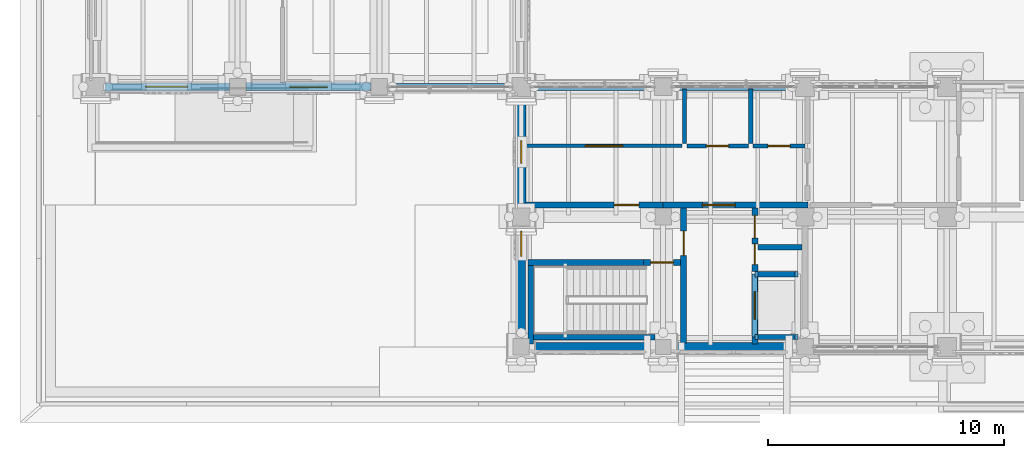
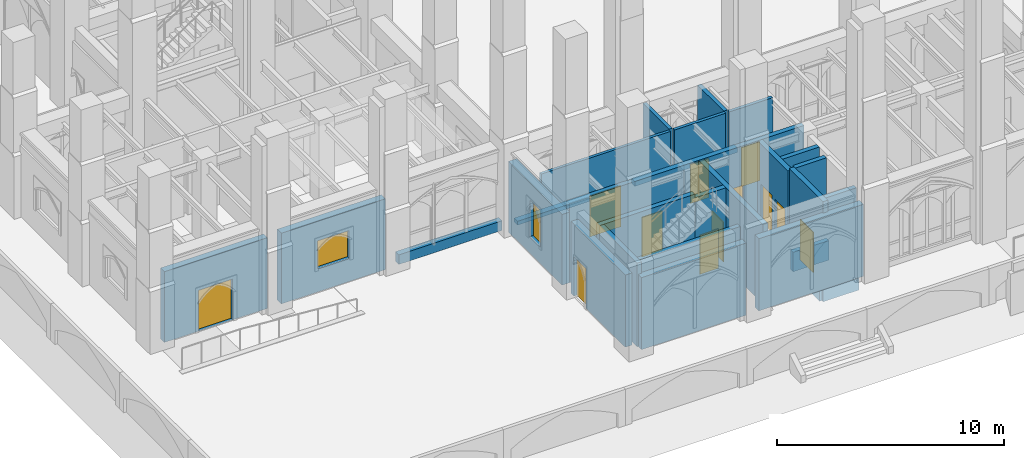
# One storey, part 58 of 135: 29 walls, 12 doors, 2 windows, 14 openings.
"""IFC4 building model written with IfcOpenShell, lengths in metres."""

from ifc_helpers import new_model, si_unit, direction, frame, frame_2d, origin, place, context, subcontext, project, spatial, rectangle, extrude, material, layer, layer_set, type_object, element, fill, save


model = new_model("IFC4")

# Units and contexts
model_context = context("Model", 3, precision=1e-05, world=origin(), true_north=direction((0.0, 1.0)))
body_context = subcontext(model_context, "Body", "Model", "MODEL_VIEW")
ifc_project = project(units=[si_unit("LENGTHUNIT", "METRE"), si_unit("AREAUNIT", "SQUARE_METRE"), si_unit("VOLUMEUNIT", "CUBIC_METRE"), si_unit("PLANEANGLEUNIT", "RADIAN"), si_unit("MASSUNIT", "GRAM", prefix="KILO")], contexts=[model_context])

# Site, building, storey
site_placement = place(None, origin())
site = spatial("IfcSite", under=ifc_project, at=site_placement, CompositionType="ELEMENT")
building_placement = place(site_placement, origin())
building = spatial("IfcBuilding", under=site, at=building_placement, Name="Cumevento Cable Car Station", CompositionType="ELEMENT")
storey_placement = place(building_placement, origin())
storey = spatial("IfcBuildingStorey", under=building, at=storey_placement, Name="L01", CompositionType="ELEMENT", Elevation=0.0)

# Walls
ifc_material_1 = material(Name="Gnaisse Facoidal Stone Ashlar 85 MPa", Category="masonry")
ifc_layer_1 = layer(ifc_material_1, 0.294921875)
ifc_layer_set_1 = layer_set([ifc_layer_1], Name="Gnaisse Facoidal Stone Ashlar 85 MPa")
wall_type_1 = type_object("IfcWallType", Name="Exterior Envelope Wall EW-295 295", PredefinedType="SOLIDWALL", material=ifc_layer_set_1)
wall_1_placement = place(storey_placement, frame((22.39990234375, 15.0, 0.0), z_axis=(0.0, 0.0, 1.0), x_axis=(1.0, 0.0, 0.0)))
element("IfcWall", 1, at=wall_1_placement, inside=storey, type_object=wall_type_1, Name="Exterior Sill Curb Wall EW-295 L01 #2", PredefinedType="SOLIDWALL", context=body_context, shape_type="SweptSolid", body=[
    extrude(rectangle(XDim=5.22509765625, YDim=0.294921875, at=frame_2d((2.612548828125, 0.0))), origin(), (0.0, 0.0, 1.0), 0.2099609375),
])
wall_2_placement = place(storey_placement, frame((28.375, 15.0, 0.0), z_axis=(0.0, 0.0, 1.0), x_axis=(1.0, 0.0, 0.0)))
element("IfcWall", 2, at=wall_2_placement, inside=storey, type_object=wall_type_1, Name="Exterior Sill Curb Wall EW-295 L01 #4", PredefinedType="SOLIDWALL", context=body_context, shape_type="SweptSolid", body=[
    extrude(rectangle(XDim=5.22509765625, YDim=0.294921875, at=frame_2d((2.612548828125, 0.0))), origin(), (0.0, 0.0, 1.0), 0.260009765625),
])
wall_3_placement = place(storey_placement, frame((21.60009765625, 15.0, 0.0), z_axis=(0.0, 0.0, 1.0), x_axis=(-1.0, 0.0, 0.0)))
element("IfcWall", 3, at=wall_3_placement, inside=storey, type_object=wall_type_1, Name="Exterior Sill Curb Wall EW-295 L01 #47", PredefinedType="SOLIDWALL", context=body_context, shape_type="SweptSolid", body=[
    extrude(rectangle(XDim=5.25, YDim=0.294921875, at=frame_2d((2.625, 0.0))), origin(), (0.0, 0.0, 1.0), 0.52001953125),
])

# Wall, opening, door
ifc_material_2 = material(Name="Concrete C40/50", Category="concrete")
ifc_layer_2 = layer(ifc_material_2, 0.340087890625)
ifc_layer_set_2 = layer_set([ifc_layer_2], Name="Concrete C40/50")
wall_type_2 = type_object("IfcWallType", Name="Exterior Envelope Wall EW-340 340", PredefinedType="SOLIDWALL", material=ifc_layer_set_2)
wall_4_placement = place(storey_placement, frame((9.64990234375, 15.0, 0.0), z_axis=(0.0, 0.0, 1.0), x_axis=(-1.0, 0.0, 0.0)))
wall_4 = element("IfcWall", 4, at=wall_4_placement, inside=storey, type_object=wall_type_2, Name="Exterior Wall EW-340 L01 #44", PredefinedType="SOLIDWALL", context=body_context, shape_type="SweptSolid", body=[
    extrude(rectangle(XDim=5.25, YDim=0.340087890625, at=frame_2d((2.625, 0.0))), origin(), (0.0, 0.0, 1.0), 3.80908203125),
])
opening_1_placement = place(wall_4_placement, frame((1.77490234375, 0.0, 0.0)))
opening_1 = element("IfcOpeningElement", 5, at=opening_1_placement, cuts=wall_4, Name="Opening DR-L01-M04", PredefinedType="OPENING", context=body_context, shape_type="SweptSolid", body=[
    extrude(rectangle(XDim=1.75, YDim=2.199951171875, at=frame_2d((0.875, 1.10009765625))), frame((0.0, 0.179931640625, 0.0), z_axis=(0.0, -1.0, 0.0), x_axis=(1.0, 0.0, 0.0)), (0.0, 0.0, 1.0), 0.360107421875),
])
ifc_material_3 = material(Name="Anodised Bronze Aluminium & Laminated Glass", Category="aluminium")
door_type_1 = type_object("IfcDoorType", Name="Exterior Door ED-01 1750x2200", OperationType="NOTDEFINED", PredefinedType="DOOR", material=ifc_material_3)
door_1_placement = place(opening_1_placement, origin())
door_1 = element("IfcDoor", 6, at=door_1_placement, inside=storey, type_object=door_type_1, Name="Main Entrance M4 (Rescue & Sports)", OperationType="DOUBLE_DOOR_SINGLE_SWING", OverallHeight=2.199951171875, OverallWidth=1.75, PredefinedType="DOOR", context=body_context, shape_type="SweptSolid", body=[
    extrude(rectangle(XDim=1.75, YDim=2.199951171875, at=frame_2d((0.875, 1.10009765625))), frame((0.0, 0.02490234375, 0.0), z_axis=(0.0, -1.0, 0.0), x_axis=(1.0, 0.0, 0.0)), (0.0, 0.0, 1.0), 0.050048828125),
])
fill(opening_1, door_1)

# Walls
ifc_material_4 = material(Name="Concrete C40/50", Category="concrete")
ifc_layer_3 = layer(ifc_material_4, 0.35498046875)
ifc_layer_set_3 = layer_set([ifc_layer_3], Name="Concrete C40/50")
wall_type_3 = type_object("IfcWallType", Name="Exterior Envelope Wall EW-355 355", PredefinedType="SOLIDWALL", material=ifc_layer_set_3)
for number, where, z_axis, x_axis, name in (
    (7, (27.675048828125, 4.0, 0.0), (0.0, 0.0, 1.0), (-1.0, 0.0, 0.0), "Exterior Wall EW-355 L01 #1"),
    (8, (33.64990234375, 4.0, 0.0), (0.0, 0.0, 1.0), (-1.0, 0.0, 0.0), "Exterior Wall EW-355 L01 #3"),
):
    element("IfcWall", number, at=place(storey_placement, frame(where, z_axis=z_axis, x_axis=x_axis)), inside=storey, type_object=wall_type_3, Name=name, PredefinedType="SOLIDWALL", context=body_context, shape_type="SweptSolid", body=[
        extrude(rectangle(XDim=5.324951171875, YDim=0.35498046875, at=frame_2d((2.66259765625, 0.0))), origin(), (0.0, 0.0, 1.0), 3.881103515625),
    ])

# Wall, opening, door
wall_5_placement = place(storey_placement, frame((22.0, 4.35009765625, 0.0), z_axis=(0.0, 0.0, 1.0), x_axis=(0.0, 1.0, 0.0)))
wall_5 = element("IfcWall", 9, at=wall_5_placement, inside=storey, type_object=wall_type_3, Name="Exterior Wall EW-355 L01 #9", PredefinedType="SOLIDWALL", context=body_context, shape_type="SweptSolid", body=[
    extrude(rectangle(XDim=4.77490234375, YDim=0.35498046875, at=frame_2d((2.387451171875, 0.0))), origin(), (0.0, 0.0, 1.0), 3.881103515625),
])
opening_2_placement = place(wall_5_placement, frame((3.485107421875, 0.0, 0.0)))
opening_2 = element("IfcOpeningElement", 10, at=opening_2_placement, cuts=wall_5, Name="Opening DR-L01-EX2", PredefinedType="OPENING", context=body_context, shape_type="SweptSolid", body=[
    extrude(rectangle(XDim=1.050048828125, YDim=2.139892578125, at=frame_2d((0.52490234375, 1.06982421875))), frame((0.0, 0.1875, 0.0), z_axis=(0.0, -1.0, 0.0), x_axis=(1.0, 0.0, 0.0)), (0.0, 0.0, 1.0), 0.375),
])
ifc_material_5 = material(Name="Galvanised Painted Steel Door Assembly", Category="steel")
door_type_2 = type_object("IfcDoorType", Name="Exterior Door ED-11 1050x2140", OperationType="NOTDEFINED", PredefinedType="DOOR", material=ifc_material_5)
door_2_placement = place(opening_2_placement, origin())
door_2 = element("IfcDoor", 11, at=door_2_placement, inside=storey, type_object=door_type_2, Name="Final Pedestrian Exit E2 (Core C2)", OperationType="SINGLE_SWING_RIGHT", OverallHeight=2.139892578125, OverallWidth=1.050048828125, PredefinedType="DOOR", context=body_context, shape_type="SweptSolid", body=[
    extrude(rectangle(XDim=1.050048828125, YDim=2.139892578125, at=frame_2d((0.52490234375, 1.06982421875))), frame((0.0, 0.02490234375, 0.0), z_axis=(0.0, -1.0, 0.0), x_axis=(1.0, 0.0, 0.0)), (0.0, 0.0, 1.0), 0.050048828125),
])
fill(opening_2, door_2)

# Wall, opening, window
ifc_material_6 = material(Name="Concrete C40/50", Category="concrete")
ifc_layer_4 = layer(ifc_material_6, 0.3701171875)
ifc_layer_set_4 = layer_set([ifc_layer_4], Name="Concrete C40/50")
wall_type_4 = type_object("IfcWallType", Name="Exterior Envelope Wall EW-370 370", PredefinedType="SOLIDWALL", material=ifc_layer_set_4)
wall_6_placement = place(storey_placement, frame((15.64990234375, 15.0, 0.0), z_axis=(0.0, 0.0, 1.0), x_axis=(-1.0, 0.0, 0.0)))
wall_6 = element("IfcWall", 12, at=wall_6_placement, inside=storey, type_object=wall_type_4, Name="Exterior Wall EW-370 L01 #46", PredefinedType="SOLIDWALL", context=body_context, shape_type="SweptSolid", body=[
    extrude(rectangle(XDim=5.2998046875, YDim=0.3701171875, at=frame_2d((2.64990234375, 0.0))), origin(), (0.0, 0.0, 1.0), 3.80908203125),
])
opening_3_placement = place(wall_6_placement, frame((1.85009765625, 0.0, 1.25)))
opening_3 = element("IfcOpeningElement", 13, at=opening_3_placement, cuts=wall_6, Name="Opening WN-L01-021", PredefinedType="OPENING", context=body_context, shape_type="SweptSolid", body=[
    extrude(rectangle(XDim=1.60009765625, YDim=1.5, at=frame_2d((0.800048828125, 0.75))), frame((0.0, 0.195068359375, 0.0), z_axis=(0.0, -1.0, 0.0), x_axis=(1.0, 0.0, 0.0)), (0.0, 0.0, 1.0), 0.39013671875),
])
ifc_material_7 = material(Name="Anodised Bronze Aluminium & Laminated Solar Glass", Category="aluminium")
window_type_1 = type_object("IfcWindowType", Name="Lancet Window WN-21 1600x1500", PartitioningType="DOUBLE_PANEL_VERTICAL", PredefinedType="WINDOW", material=ifc_material_7)
window_1_placement = place(opening_3_placement, origin())
window_1 = element("IfcWindow", 14, at=window_1_placement, inside=storey, type_object=window_type_1, Name="Lancet Window WN-L01-021 (WN-21)", OverallHeight=1.5, OverallWidth=1.60009765625, PartitioningType="SINGLE_PANEL", PredefinedType="WINDOW", context=body_context, shape_type="SweptSolid", body=[
    extrude(rectangle(XDim=1.60009765625, YDim=1.5, at=frame_2d((0.800048828125, 0.75))), frame((0.0, 0.030029296875, 0.0), z_axis=(0.0, -1.0, 0.0), x_axis=(1.0, 0.0, 0.0)), (0.0, 0.0, 1.0), 0.06005859375),
])
fill(opening_3, window_1)

ifc_material_8 = material(Name="Gnaisse Facoidal Stone Ashlar 85 MPa", Category="masonry")
ifc_layer_5 = layer(ifc_material_8, 0.4150390625)
ifc_layer_set_5 = layer_set([ifc_layer_5], Name="Gnaisse Facoidal Stone Ashlar 85 MPa")
wall_type_5 = type_object("IfcWallType", Name="Exterior Envelope Wall EW-415 415", PredefinedType="SOLIDWALL", material=ifc_layer_set_5)
wall_7_placement = place(storey_placement, frame((22.0, 9.875, 0.0), z_axis=(0.0, 0.0, 1.0), x_axis=(0.0, 1.0, 0.0)))
wall_7 = element("IfcWall", 15, at=wall_7_placement, inside=storey, type_object=wall_type_5, Name="Exterior Wall EW-415 L01 #10", PredefinedType="SOLIDWALL", context=body_context, shape_type="SweptSolid", body=[
    extrude(rectangle(XDim=4.72509765625, YDim=0.4150390625, at=frame_2d((2.362548828125, 0.0))), origin(), (0.0, 0.0, 1.0), 3.80908203125),
])
opening_4_placement = place(wall_7_placement, frame((1.887451171875, 0.0, 0.89990234375)))
opening_4 = element("IfcOpeningElement", 16, at=opening_4_placement, cuts=wall_7, Name="Opening WN-L01-002", PredefinedType="OPENING", context=body_context, shape_type="SweptSolid", body=[
    extrude(rectangle(XDim=0.949951171875, YDim=1.949951171875, at=frame_2d((0.47509765625, 0.97509765625))), frame((0.0, 0.217529296875, 0.0), z_axis=(0.0, -1.0, 0.0), x_axis=(1.0, 0.0, 0.0)), (0.0, 0.0, 1.0), 0.43505859375),
])
ifc_material_9 = material(Name="Anodised Bronze Aluminium & Laminated Solar Glass", Category="aluminium")
window_type_2 = type_object("IfcWindowType", Name="Lancet Window WN-02 950x1950", PartitioningType="SINGLE_PANEL", PredefinedType="WINDOW", material=ifc_material_9)
window_2_placement = place(opening_4_placement, origin())
window_2 = element("IfcWindow", 17, at=window_2_placement, inside=storey, type_object=window_type_2, Name="Lancet Window WN-L01-002 (WN-02)", OverallHeight=1.949951171875, OverallWidth=0.949951171875, PartitioningType="SINGLE_PANEL", PredefinedType="WINDOW", context=body_context, shape_type="SweptSolid", body=[
    extrude(rectangle(XDim=0.949951171875, YDim=1.949951171875, at=frame_2d((0.47509765625, 0.97509765625))), frame((0.0, 0.030029296875, 0.0), z_axis=(0.0, -1.0, 0.0), x_axis=(1.0, 0.0, 0.0)), (0.0, 0.0, 1.0), 0.06005859375),
])
fill(opening_4, window_2)

# Wall, opening, door
ifc_material_10 = material(Name="Gypsum Board & Insulated Stud Partition", Category="gypsum")
ifc_layer_6 = layer(ifc_material_10, 0.14501953125)
ifc_layer_set_6 = layer_set([ifc_layer_6], Name="Gypsum Board & Insulated Stud Partition")
wall_type_6 = type_object("IfcWallType", Name="Interior Partition PT-145 145", PredefinedType="PARTITIONING", material=ifc_layer_set_6)
wall_8_placement = place(storey_placement, frame((22.20947265625, 12.5, 0.0), z_axis=(0.0, 0.0, 1.0), x_axis=(1.0, 0.0, 0.0)))
wall_8 = element("IfcWall", 18, at=wall_8_placement, inside=storey, type_object=wall_type_6, Name="Interior Wall PT-145 L01 #562", PredefinedType="PARTITIONING", context=body_context, shape_type="SweptSolid", body=[
    extrude(rectangle(XDim=6.590576171875, YDim=0.14501953125, at=frame_2d((3.29541015625, 0.0))), origin(), (0.0, 0.0, 1.0), 4.2880859375),
])
opening_5_placement = place(wall_8_placement, frame((2.50537109375, 0.0, 0.0)))
opening_5 = element("IfcOpeningElement", 19, at=opening_5_placement, cuts=wall_8, Name="Opening DR-L01-183", PredefinedType="OPENING", context=body_context, shape_type="SweptSolid", body=[
    extrude(rectangle(XDim=1.580078125, YDim=2.199951171875, at=frame_2d((0.7900390625, 1.10009765625))), frame((0.0, 0.08251953125, 0.0), z_axis=(0.0, -1.0, 0.0), x_axis=(1.0, 0.0, 0.0)), (0.0, 0.0, 1.0), 0.1650390625),
])
ifc_material_11 = material(Name="Galvanised Painted Steel Fire Door", Category="steel")
door_type_3 = type_object("IfcDoorType", Name="Interior Door FD-06 1580x2200", OperationType="NOTDEFINED", PredefinedType="DOOR", material=ifc_material_11)
door_3_placement = place(opening_5_placement, origin())
door_3 = element("IfcDoor", 20, at=door_3_placement, inside=storey, type_object=door_type_3, Name="Interior Door DR-L01-183 (FD-06)", OperationType="DOUBLE_DOOR_SINGLE_SWING", OverallHeight=2.199951171875, OverallWidth=1.580078125, PredefinedType="DOOR", context=body_context, shape_type="SweptSolid", body=[
    extrude(rectangle(XDim=1.580078125, YDim=2.199951171875, at=frame_2d((0.7900390625, 1.10009765625))), frame((0.0, 0.02490234375, 0.0), z_axis=(0.0, -1.0, 0.0), x_axis=(1.0, 0.0, 0.0)), (0.0, 0.0, 1.0), 0.050048828125),
])
fill(opening_5, door_3)

ifc_material_12 = material(Name="Gypsum Board & Insulated Stud Partition", Category="gypsum")
ifc_layer_7 = layer(ifc_material_12, 0.155029296875)
ifc_layer_set_7 = layer_set([ifc_layer_7], Name="Gypsum Board & Insulated Stud Partition")
wall_type_7 = type_object("IfcWallType", Name="Interior Partition PT-155 155", PredefinedType="PARTITIONING", material=ifc_layer_set_7)
wall_9_placement = place(storey_placement, frame((29.0, 12.5, 0.0), z_axis=(0.0, 0.0, 1.0), x_axis=(1.0, 0.0, 0.0)))
wall_9 = element("IfcWall", 21, at=wall_9_placement, inside=storey, type_object=wall_type_7, Name="Interior Wall PT-155 L01 #563", PredefinedType="PARTITIONING", context=body_context, shape_type="SweptSolid", body=[
    extrude(rectangle(XDim=2.60009765625, YDim=0.155029296875, at=frame_2d((1.300048828125, 0.0))), origin(), (0.0, 0.0, 1.0), 4.2880859375),
])
opening_6_placement = place(wall_9_placement, frame((0.830078125, 0.0, 0.0)))
opening_6 = element("IfcOpeningElement", 22, at=opening_6_placement, cuts=wall_9, Name="Opening DR-L01-184", PredefinedType="OPENING", context=body_context, shape_type="SweptSolid", body=[
    extrude(rectangle(XDim=0.93994140625, YDim=2.10009765625, at=frame_2d((0.469970703125, 1.050048828125))), frame((0.0, 0.087646484375, 0.0), z_axis=(0.0, -1.0, 0.0), x_axis=(1.0, 0.0, 0.0)), (0.0, 0.0, 1.0), 0.175048828125),
])
ifc_material_13 = material(Name="Galvanised Painted Steel Fire Door", Category="steel")
door_type_4 = type_object("IfcDoorType", Name="Interior Door FD-08 940x2100", OperationType="NOTDEFINED", PredefinedType="DOOR", material=ifc_material_13)
door_4_placement = place(opening_6_placement, origin())
door_4 = element("IfcDoor", 23, at=door_4_placement, inside=storey, type_object=door_type_4, Name="Interior Door DR-L01-184 (FD-08)", OperationType="SINGLE_SWING_RIGHT", OverallHeight=2.10009765625, OverallWidth=0.93994140625, PredefinedType="DOOR", context=body_context, shape_type="SweptSolid", body=[
    extrude(rectangle(XDim=0.93994140625, YDim=2.10009765625, at=frame_2d((0.469970703125, 1.050048828125))), frame((0.0, 0.02490234375, 0.0), z_axis=(0.0, -1.0, 0.0), x_axis=(1.0, 0.0, 0.0)), (0.0, 0.0, 1.0), 0.050048828125),
])
fill(opening_6, door_4)

ifc_material_14 = material(Name="Gypsum Board & Insulated Stud Partition", Category="gypsum")
ifc_layer_8 = layer(ifc_material_14, 0.1650390625)
ifc_layer_set_8 = layer_set([ifc_layer_8], Name="Gypsum Board & Insulated Stud Partition")
wall_type_8 = type_object("IfcWallType", Name="Interior Partition PT-165 165", PredefinedType="PARTITIONING", material=ifc_layer_set_8)
wall_10_placement = place(storey_placement, frame((31.800048828125, 12.5, 0.0), z_axis=(0.0, 0.0, 1.0), x_axis=(1.0, 0.0, 0.0)))
wall_10 = element("IfcWall", 24, at=wall_10_placement, inside=storey, type_object=wall_type_8, Name="Interior Wall PT-165 L01 #564", PredefinedType="PARTITIONING", context=body_context, shape_type="SweptSolid", body=[
    extrude(rectangle(XDim=2.199951171875, YDim=0.1650390625, at=frame_2d((1.10009765625, 0.0))), origin(), (0.0, 0.0, 1.0), 4.2880859375),
])
opening_7_placement = place(wall_10_placement, frame((0.6298828125, 0.0, 0.0)))
opening_7 = element("IfcOpeningElement", 25, at=opening_7_placement, cuts=wall_10, Name="Opening DR-L01-185", PredefinedType="OPENING", context=body_context, shape_type="SweptSolid", body=[
    extrude(rectangle(XDim=0.93994140625, YDim=2.10009765625, at=frame_2d((0.469970703125, 1.050048828125))), frame((0.0, 0.092529296875, 0.0), z_axis=(0.0, -1.0, 0.0), x_axis=(1.0, 0.0, 0.0)), (0.0, 0.0, 1.0), 0.18505859375),
])
door_5_placement = place(opening_7_placement, origin())
door_5 = element("IfcDoor", 26, at=door_5_placement, inside=storey, type_object=door_type_4, Name="Interior Door DR-L01-185 (FD-08)", OperationType="SINGLE_SWING_LEFT", OverallHeight=2.10009765625, OverallWidth=0.93994140625, PredefinedType="DOOR", context=body_context, shape_type="SweptSolid", body=[
    extrude(rectangle(XDim=0.93994140625, YDim=2.10009765625, at=frame_2d((0.469970703125, 1.050048828125))), frame((0.0, 0.02490234375, 0.0), z_axis=(0.0, -1.0, 0.0), x_axis=(1.0, 0.0, 0.0)), (0.0, 0.0, 1.0), 0.050048828125),
])
fill(opening_7, door_5)

# Walls
ifc_material_15 = material(Name="Moisture-Resistant Tile & Stud Partition", Category="gypsum")
ifc_layer_9 = layer(ifc_material_15, 0.175048828125)
ifc_layer_set_9 = layer_set([ifc_layer_9], Name="Moisture-Resistant Tile & Stud Partition")
wall_type_9 = type_object("IfcWallType", Name="Interior Partition PT-175 175", PredefinedType="PARTITIONING", material=ifc_layer_set_9)
wall_11_placement = place(storey_placement, frame((28.89990234375, 12.60009765625, 0.0), z_axis=(0.0, 0.0, 1.0), x_axis=(0.0, 1.0, 0.0)))
element("IfcWall", 27, at=wall_11_placement, inside=storey, type_object=wall_type_9, Name="Interior Wall PT-175 L01 #567", PredefinedType="PARTITIONING", context=body_context, shape_type="SweptSolid", body=[
    extrude(rectangle(XDim=2.31201171875, YDim=0.175048828125, at=frame_2d((1.156005859375, 0.0))), origin(), (0.0, 0.0, 1.0), 4.2880859375),
])
ifc_material_16 = material(Name="Acoustic Double-Stud Partition", Category="gypsum")
ifc_layer_10 = layer(ifc_material_16, 0.195068359375)
ifc_layer_set_10 = layer_set([ifc_layer_10], Name="Acoustic Double-Stud Partition")
wall_type_10 = type_object("IfcWallType", Name="Interior Partition PT-195 195", PredefinedType="PARTITIONING", material=ifc_layer_set_10)
wall_12_placement = place(storey_placement, frame((31.699951171875, 12.60009765625, 0.0), z_axis=(0.0, 0.0, 1.0), x_axis=(0.0, 1.0, 0.0)))
element("IfcWall", 28, at=wall_12_placement, inside=storey, type_object=wall_type_10, Name="Interior Wall PT-195 L01 #568", PredefinedType="PARTITIONING", context=body_context, shape_type="SweptSolid", body=[
    extrude(rectangle(XDim=2.31201171875, YDim=0.195068359375, at=frame_2d((1.156005859375, 0.0))), origin(), (0.0, 0.0, 1.0), 4.2880859375),
])
ifc_material_17 = material(Name="Concrete C40/50", Category="concrete")
ifc_layer_11 = layer(ifc_material_17, 0.22998046875)
ifc_layer_set_11 = layer_set([ifc_layer_11], Name="Concrete C40/50")
wall_type_11 = type_object("IfcWallType", Name="Interior Shear Wall CW-230 230", PredefinedType="SHEAR", material=ifc_layer_set_11)
for number, where, z_axis, x_axis, name in (
    (29, (31.8798828125, 4.419921875, -1.050048828125), (0.0, 0.0, 1.0), (1.0, 0.0, 0.0), "Interior Wall CW-230 L01 #213"),
    (30, (33.699951171875, 7.080078125, -1.050048828125), (0.0, 0.0, 1.0), (-1.0, 0.0, 0.0), "Interior Wall CW-230 L01 #215"),
):
    element("IfcWall", number, at=place(storey_placement, frame(where, z_axis=z_axis, x_axis=x_axis)), inside=storey, type_object=wall_type_11, Name=name, PredefinedType="SHEAR", context=body_context, shape_type="SweptSolid", body=[
        extrude(rectangle(XDim=1.820068359375, YDim=0.22998046875, at=frame_2d((0.91015625, 0.0))), origin(), (0.0, 0.0, 1.0), 1.050048828125),
    ])
wall_13_placement = place(storey_placement, frame((31.8798828125, 7.080078125, -1.050048828125), z_axis=(0.0, 0.0, 1.0), x_axis=(0.0, -1.0, 0.0)))
element("IfcWall", 31, at=wall_13_placement, inside=storey, type_object=wall_type_11, Name="Interior Wall CW-230 L01 #216", PredefinedType="SHEAR", context=body_context, shape_type="SweptSolid", body=[
    extrude(rectangle(XDim=2.66015625, YDim=0.22998046875, at=frame_2d((1.330078125, 0.0))), origin(), (0.0, 0.0, 1.0), 1.050048828125),
])
wall_14_placement = place(storey_placement, frame((22.405029296875, 4.114990234375, 0.0), z_axis=(0.0, 0.0, 1.0), x_axis=(0.0, 1.0, 0.0)))
element("IfcWall", 32, at=wall_14_placement, inside=storey, type_object=wall_type_11, Name="Interior Wall CW-230 L01 #224", PredefinedType="SHEAR", context=body_context, shape_type="SweptSolid", body=[
    extrude(rectangle(XDim=3.3349609375, YDim=0.22998046875, at=frame_2d((1.66748046875, 0.0))), origin(), (0.0, 0.0, 1.0), 4.5),
])
wall_15_placement = place(storey_placement, frame((22.52001953125, 4.405029296875, 0.0), z_axis=(0.0, 0.0, 1.0), x_axis=(1.0, 0.0, 0.0)))
element("IfcWall", 33, at=wall_15_placement, inside=storey, type_object=wall_type_11, Name="Interior Wall CW-230 L01 #225", PredefinedType="SHEAR", context=body_context, shape_type="SweptSolid", body=[
    extrude(rectangle(XDim=5.1298828125, YDim=0.22998046875, at=frame_2d((2.56494140625, 0.0))), origin(), (0.0, 0.0, 1.0), 4.5),
])
for number, where, z_axis, x_axis, name in (
    (34, (32.0048828125, 4.419921875, 0.0), (0.0, 0.0, 1.0), (1.0, 0.0, 0.0), "Interior Wall CW-230 L01 #230"),
    (35, (32.0048828125, 7.080078125, 0.0), (0.0, 0.0, 1.0), (1.0, 0.0, 0.0), "Interior Wall CW-230 L01 #232"),
):
    element("IfcWall", number, at=place(storey_placement, frame(where, z_axis=z_axis, x_axis=x_axis)), inside=storey, type_object=wall_type_11, Name=name, PredefinedType="SHEAR", context=body_context, shape_type="SweptSolid", body=[
        extrude(rectangle(XDim=1.580078125, YDim=0.22998046875, at=frame_2d((0.7900390625, 0.0))), origin(), (0.0, 0.0, 1.0), 4.5),
    ])
wall_16_placement = place(storey_placement, frame((32.0048828125, 8.219970703125, 0.0), z_axis=(0.0, 0.0, 1.0), x_axis=(1.0, 0.0, 0.0)))
element("IfcWall", 36, at=wall_16_placement, inside=storey, type_object=wall_type_11, Name="Interior Wall CW-230 L01 #234", PredefinedType="SHEAR", context=body_context, shape_type="SweptSolid", body=[
    extrude(rectangle(XDim=1.8701171875, YDim=0.22998046875, at=frame_2d((0.93505859375, 0.0))), origin(), (0.0, 0.0, 1.0), 4.2880859375),
])

# Wall, opening, door
ifc_material_18 = material(Name="Concrete C40/50", Category="concrete")
ifc_layer_12 = layer(ifc_material_18, 0.25)
ifc_layer_set_12 = layer_set([ifc_layer_12], Name="Concrete C40/50")
wall_type_12 = type_object("IfcWallType", Name="Interior Shear Wall CW-250 250", PredefinedType="SHEAR", material=ifc_layer_set_12)
wall_17_placement = place(storey_placement, frame((22.175048828125, 10.0, 0.0), z_axis=(0.0, 0.0, 1.0), x_axis=(1.0, 0.0, 0.0)))
wall_17 = element("IfcWall", 37, at=wall_17_placement, inside=storey, type_object=wall_type_12, Name="Interior Wall CW-250 L01 #221", PredefinedType="SHEAR", context=body_context, shape_type="SweptSolid", body=[
    extrude(rectangle(XDim=5.824951171875, YDim=0.25, at=frame_2d((2.91259765625, 0.0))), origin(), (0.0, 0.0, 1.0), 4.2880859375),
])
opening_8_placement = place(wall_17_placement, frame((3.7548828125, 0.0, 0.0)))
opening_8 = element("IfcOpeningElement", 38, at=opening_8_placement, cuts=wall_17, Name="Opening DR-L01-044", PredefinedType="OPENING", context=body_context, shape_type="SweptSolid", body=[
    extrude(rectangle(XDim=1.0400390625, YDim=2.139892578125, at=frame_2d((0.52001953125, 1.06982421875))), frame((0.0, 0.135009765625, 0.0), z_axis=(0.0, -1.0, 0.0), x_axis=(1.0, 0.0, 0.0)), (0.0, 0.0, 1.0), 0.27001953125),
])
ifc_material_19 = material(Name="Galvanised Painted Steel Fire Door", Category="steel")
door_type_5 = type_object("IfcDoorType", Name="Interior Door FD-02 1040x2140", OperationType="NOTDEFINED", PredefinedType="DOOR", material=ifc_material_19)
door_6_placement = place(opening_8_placement, origin())
door_6 = element("IfcDoor", 39, at=door_6_placement, inside=storey, type_object=door_type_5, Name="Core CORE2 N_vest Fire Door L01", OperationType="SINGLE_SWING_LEFT", OverallHeight=2.139892578125, OverallWidth=1.0400390625, PredefinedType="DOOR", context=body_context, shape_type="SweptSolid", body=[
    extrude(rectangle(XDim=1.0400390625, YDim=2.139892578125, at=frame_2d((0.52001953125, 1.06982421875))), frame((0.0, 0.02490234375, 0.0), z_axis=(0.0, -1.0, 0.0), x_axis=(1.0, 0.0, 0.0)), (0.0, 0.0, 1.0), 0.050048828125),
])
fill(opening_8, door_6)

wall_18_placement = place(storey_placement, frame((28.0, 10.0, 0.0), z_axis=(0.0, 0.0, 1.0), x_axis=(1.0, 0.0, 0.0)))
wall_18 = element("IfcWall", 40, at=wall_18_placement, inside=storey, type_object=wall_type_12, Name="Interior Wall CW-250 L01 #222", PredefinedType="SHEAR", context=body_context, shape_type="SweptSolid", body=[
    extrude(rectangle(XDim=6.125, YDim=0.25, at=frame_2d((3.0625, 0.0))), origin(), (0.0, 0.0, 1.0), 4.2880859375),
])
opening_9_placement = place(wall_18_placement, frame((1.659912109375, 0.0, 0.0)))
opening_9 = element("IfcOpeningElement", 41, at=opening_9_placement, cuts=wall_18, Name="Opening DR-L01-045", PredefinedType="OPENING", context=body_context, shape_type="SweptSolid", body=[
    extrude(rectangle(XDim=1.3798828125, YDim=2.159912109375, at=frame_2d((0.68994140625, 1.080078125))), frame((0.0, 0.135009765625, 0.0), z_axis=(0.0, -1.0, 0.0), x_axis=(1.0, 0.0, 0.0)), (0.0, 0.0, 1.0), 0.27001953125),
])
ifc_material_20 = material(Name="Galvanised Painted Steel Fire Door", Category="steel")
door_type_6 = type_object("IfcDoorType", Name="Interior Door FD-04 1380x2160", OperationType="NOTDEFINED", PredefinedType="DOOR", material=ifc_material_20)
door_7_placement = place(opening_9_placement, origin())
door_7 = element("IfcDoor", 42, at=door_7_placement, inside=storey, type_object=door_type_6, Name="Core CORE2 N_lobby Fire Door L01", OperationType="DOUBLE_DOOR_SINGLE_SWING", OverallHeight=2.159912109375, OverallWidth=1.3798828125, PredefinedType="DOOR", context=body_context, shape_type="SweptSolid", body=[
    extrude(rectangle(XDim=1.3798828125, YDim=2.159912109375, at=frame_2d((0.68994140625, 1.080078125))), frame((0.0, 0.02490234375, 0.0), z_axis=(0.0, -1.0, 0.0), x_axis=(1.0, 0.0, 0.0)), (0.0, 0.0, 1.0), 0.050048828125),
])
fill(opening_9, door_7)

# Wall
wall_19_placement = place(storey_placement, frame((22.2900390625, 7.574951171875, 0.0), z_axis=(0.0, 0.0, 1.0), x_axis=(1.0, 0.0, 0.0)))
element("IfcWall", 43, at=wall_19_placement, inside=storey, type_object=wall_type_12, Name="Interior Wall CW-250 L01 #226", PredefinedType="SHEAR", context=body_context, shape_type="SweptSolid", body=[
    extrude(rectangle(XDim=4.869873046875, YDim=0.25, at=frame_2d((2.43505859375, 0.0))), origin(), (0.0, 0.0, 1.0), 4.5),
])

# Wall, opening, door
wall_20_placement = place(storey_placement, frame((27.159912109375, 7.574951171875, 0.0), z_axis=(0.0, 0.0, 1.0), x_axis=(1.0, 0.0, 0.0)))
wall_20 = element("IfcWall", 44, at=wall_20_placement, inside=storey, type_object=wall_type_12, Name="Interior Wall CW-250 L01 #227", PredefinedType="SHEAR", context=body_context, shape_type="SweptSolid", body=[
    extrude(rectangle(XDim=1.580078125, YDim=0.25, at=frame_2d((0.7900390625, 0.0))), origin(), (0.0, 0.0, 1.0), 4.2880859375),
])
opening_10_placement = place(wall_20_placement, frame((0.31005859375, 0.0, 0.0)))
opening_10 = element("IfcOpeningElement", 45, at=opening_10_placement, cuts=wall_20, Name="Opening DR-L01-046", PredefinedType="OPENING", context=body_context, shape_type="SweptSolid", body=[
    extrude(rectangle(XDim=0.9599609375, YDim=2.1201171875, at=frame_2d((0.47998046875, 1.06005859375))), frame((0.0, 0.135009765625, 0.0), z_axis=(0.0, -1.0, 0.0), x_axis=(1.0, 0.0, 0.0)), (0.0, 0.0, 1.0), 0.27001953125),
])
ifc_material_21 = material(Name="Galvanised Painted Steel Fire Door", Category="steel")
door_type_7 = type_object("IfcDoorType", Name="Interior Door FD-01 960x2120", OperationType="NOTDEFINED", PredefinedType="DOOR", material=ifc_material_21)
door_8_placement = place(opening_10_placement, origin())
door_8 = element("IfcDoor", 46, at=door_8_placement, inside=storey, type_object=door_type_7, Name="Stair ST-02 Enclosure Door L01", OperationType="SINGLE_SWING_RIGHT", OverallHeight=2.1201171875, OverallWidth=0.9599609375, PredefinedType="DOOR", context=body_context, shape_type="SweptSolid", body=[
    extrude(rectangle(XDim=0.9599609375, YDim=2.1201171875, at=frame_2d((0.47998046875, 1.06005859375))), frame((0.0, 0.02490234375, 0.0), z_axis=(0.0, -1.0, 0.0), x_axis=(1.0, 0.0, 0.0)), (0.0, 0.0, 1.0), 0.050048828125),
])
fill(opening_10, door_8)

wall_21_placement = place(storey_placement, frame((28.864990234375, 4.175048828125, 0.0), z_axis=(0.0, 0.0, 1.0), x_axis=(0.0, 1.0, 0.0)))
wall_21 = element("IfcWall", 47, at=wall_21_placement, inside=storey, type_object=wall_type_12, Name="Interior Wall CW-250 L01 #228", PredefinedType="SHEAR", context=body_context, shape_type="SweptSolid", body=[
    extrude(rectangle(XDim=5.699951171875, YDim=0.25, at=frame_2d((2.85009765625, 0.0))), origin(), (0.0, 0.0, 1.0), 4.2880859375),
])
opening_11_placement = place(wall_21_placement, frame((3.68505859375, 0.0, 0.0)))
opening_11 = element("IfcOpeningElement", 48, at=opening_11_placement, cuts=wall_21, Name="Opening DR-L01-047", PredefinedType="OPENING", context=body_context, shape_type="SweptSolid", body=[
    extrude(rectangle(XDim=1.0400390625, YDim=2.139892578125, at=frame_2d((0.52001953125, 1.06982421875))), frame((0.0, 0.135009765625, 0.0), z_axis=(0.0, -1.0, 0.0), x_axis=(1.0, 0.0, 0.0)), (0.0, 0.0, 1.0), 0.27001953125),
])
door_9_placement = place(opening_11_placement, origin())
door_9 = element("IfcDoor", 49, at=door_9_placement, inside=storey, type_object=door_type_5, Name="Lobby Vestibule Door CORE2 L01", OperationType="SINGLE_SWING_LEFT", OverallHeight=2.139892578125, OverallWidth=1.0400390625, PredefinedType="DOOR", context=body_context, shape_type="SweptSolid", body=[
    extrude(rectangle(XDim=1.0400390625, YDim=2.139892578125, at=frame_2d((0.52001953125, 1.06982421875))), frame((0.0, 0.02490234375, 0.0), z_axis=(0.0, -1.0, 0.0), x_axis=(1.0, 0.0, 0.0)), (0.0, 0.0, 1.0), 0.050048828125),
])
fill(opening_11, door_9)

wall_22_placement = place(storey_placement, frame((31.8798828125, 4.114990234375, 0.0), z_axis=(0.0, 0.0, 1.0), x_axis=(0.0, 1.0, 0.0)))
wall_22 = element("IfcWall", 50, at=wall_22_placement, inside=storey, type_object=wall_type_12, Name="Interior Wall CW-250 L01 #229", PredefinedType="SHEAR", context=body_context, shape_type="SweptSolid", body=[
    extrude(rectangle(XDim=2.965087890625, YDim=0.25, at=frame_2d((1.482421875, 0.0))), origin(), (0.0, 0.0, 1.0), 4.5),
])
opening_12_placement = place(wall_22_placement, frame((1.054931640625, 0.0, 0.0)))
opening_12 = element("IfcOpeningElement", 51, at=opening_12_placement, cuts=wall_22, Name="Opening LD-LF02-L01", PredefinedType="OPENING", context=body_context, shape_type="SweptSolid", body=[
    extrude(rectangle(XDim=1.159912109375, YDim=2.179931640625, at=frame_2d((0.580078125, 1.08984375))), frame((0.0, 0.135009765625, 0.0), z_axis=(0.0, -1.0, 0.0), x_axis=(1.0, 0.0, 0.0)), (0.0, 0.0, 1.0), 0.27001953125),
])
ifc_material_22 = material(Name="Brushed Stainless Steel Lift Door", Category="steel")
door_type_8 = type_object("IfcDoorType", Name="Interior Door LD-02 1160x2180", OperationType="NOTDEFINED", PredefinedType="DOOR", material=ifc_material_22)
door_10_placement = place(opening_12_placement, origin())
door_10 = element("IfcDoor", 52, at=door_10_placement, inside=storey, type_object=door_type_8, Name="Lift Landing Door LD-LF02-L01", OperationType="DOUBLE_DOOR_SLIDING", OverallHeight=2.179931640625, OverallWidth=1.159912109375, PredefinedType="DOOR", context=body_context, shape_type="SweptSolid", body=[
    extrude(rectangle(XDim=1.159912109375, YDim=2.179931640625, at=frame_2d((0.580078125, 1.08984375))), frame((0.0, 0.02490234375, 0.0), z_axis=(0.0, -1.0, 0.0), x_axis=(1.0, 0.0, 0.0)), (0.0, 0.0, 1.0), 0.050048828125),
])
fill(opening_12, door_10)

# Wall, openings, doors
wall_23_placement = place(storey_placement, frame((31.8798828125, 7.199951171875, 0.0), z_axis=(0.0, 0.0, 1.0), x_axis=(0.0, 1.0, 0.0)))
wall_23 = element("IfcWall", 53, at=wall_23_placement, inside=storey, type_object=wall_type_12, Name="Interior Wall CW-250 L01 #233", PredefinedType="SHEAR", context=body_context, shape_type="SweptSolid", body=[
    extrude(rectangle(XDim=2.675048828125, YDim=0.25, at=frame_2d((1.33740234375, 0.0))), origin(), (0.0, 0.0, 1.0), 4.2880859375),
])
opening_13_placement = place(wall_23_placement, frame((0.280029296875, 0.0, 0.0)))
opening_13 = element("IfcOpeningElement", 54, at=opening_13_placement, cuts=wall_23, Name="Opening DR-L01-049", PredefinedType="OPENING", context=body_context, shape_type="SweptSolid", body=[
    extrude(rectangle(XDim=0.8798828125, YDim=2.080078125, at=frame_2d((0.43994140625, 1.0400390625))), frame((0.0, 0.135009765625, 0.0), z_axis=(0.0, -1.0, 0.0), x_axis=(1.0, 0.0, 0.0)), (0.0, 0.0, 1.0), 0.27001953125),
])
opening_14_placement = place(wall_23_placement, frame((1.39990234375, 0.0, 0.0)))
opening_14 = element("IfcOpeningElement", 55, at=opening_14_placement, cuts=wall_23, Name="Opening DR-L01-050", PredefinedType="OPENING", context=body_context, shape_type="SweptSolid", body=[
    extrude(rectangle(XDim=0.9599609375, YDim=2.1201171875, at=frame_2d((0.47998046875, 1.06005859375))), frame((0.0, 0.135009765625, 0.0), z_axis=(0.0, -1.0, 0.0), x_axis=(1.0, 0.0, 0.0)), (0.0, 0.0, 1.0), 0.27001953125),
])
door_11_placement = place(opening_14_placement, origin())
door_11 = element("IfcDoor", 56, at=door_11_placement, inside=storey, type_object=door_type_7, Name="East Vestibule Lobby Door CORE2 L01", OperationType="SINGLE_SWING_LEFT", OverallHeight=2.1201171875, OverallWidth=0.9599609375, PredefinedType="DOOR", context=body_context, shape_type="SweptSolid", body=[
    extrude(rectangle(XDim=0.9599609375, YDim=2.1201171875, at=frame_2d((0.47998046875, 1.06005859375))), frame((0.0, 0.02490234375, 0.0), z_axis=(0.0, -1.0, 0.0), x_axis=(1.0, 0.0, 0.0)), (0.0, 0.0, 1.0), 0.050048828125),
])
fill(opening_14, door_11)
ifc_material_23 = material(Name="Galvanised Painted Steel Fire Door", Category="steel")
door_type_9 = type_object("IfcDoorType", Name="Interior Door FD-07 880x2080", OperationType="NOTDEFINED", PredefinedType="DOOR", material=ifc_material_23)
door_12_placement = place(opening_13_placement, origin())
door_12 = element("IfcDoor", 57, at=door_12_placement, inside=storey, type_object=door_type_9, Name="MEP Riser Access Door CORE2 L01", OperationType="SINGLE_SWING_RIGHT", OverallHeight=2.080078125, OverallWidth=0.8798828125, PredefinedType="DOOR", context=body_context, shape_type="SweptSolid", body=[
    extrude(rectangle(XDim=0.8798828125, YDim=2.080078125, at=frame_2d((0.43994140625, 1.0400390625))), frame((0.0, 0.02490234375, 0.0), z_axis=(0.0, -1.0, 0.0), x_axis=(1.0, 0.0, 0.0)), (0.0, 0.0, 1.0), 0.050048828125),
])
fill(opening_13, door_12)

save(model, "model.ifc")
